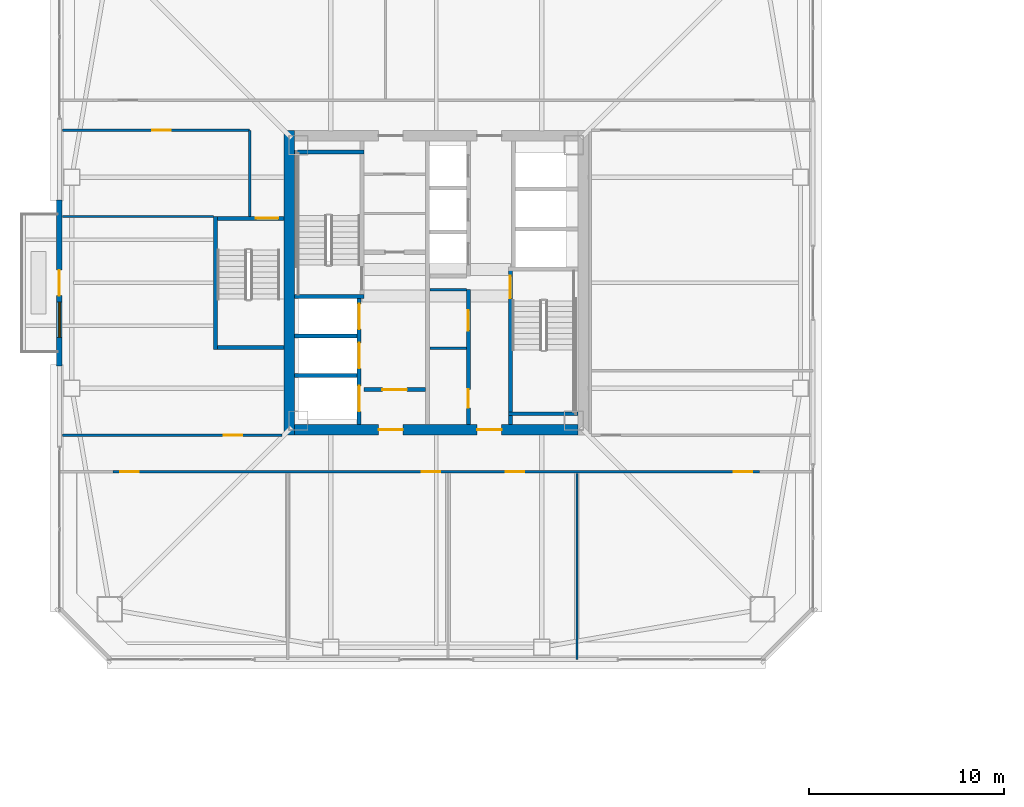
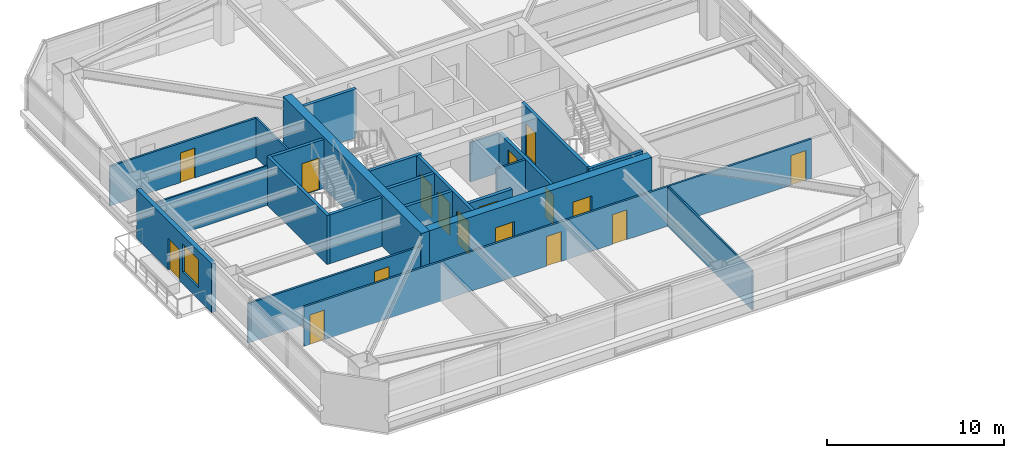
# One storey, part 34 of 44: 23 walls, 17 doors, 1 window, 18 openings.
"""IFC4 building model written with IfcOpenShell, lengths in metres."""

from ifc_helpers import new_model, si_unit, direction, frame, frame_2d, origin, place, context, subcontext, project, spatial, rectangle, extrude, material, layer, layer_set, type_object, element, fill, save


model = new_model("IFC4")

# Units and contexts
model_context = context("Model", 3, precision=1e-05, world=origin(), true_north=direction((0.0, 1.0)))
body_context = subcontext(model_context, "Body", "Model", "MODEL_VIEW")
ifc_project = project(units=[si_unit("LENGTHUNIT", "METRE"), si_unit("AREAUNIT", "SQUARE_METRE"), si_unit("VOLUMEUNIT", "CUBIC_METRE"), si_unit("PLANEANGLEUNIT", "RADIAN"), si_unit("MASSUNIT", "GRAM", prefix="KILO")], contexts=[model_context])

# Site, building, storey
site_placement = place(None, origin())
site = spatial("IfcSite", under=ifc_project, at=site_placement, CompositionType="ELEMENT")
building_placement = place(site_placement, origin())
building = spatial("IfcBuilding", under=site, at=building_placement, Name="Tashvorn Skyway Center", CompositionType="ELEMENT")
storey_placement = place(building_placement, frame((0.0, 0.0, 128.60009765625)))
storey = spatial("IfcBuildingStorey", under=building, at=storey_placement, Name="L34", CompositionType="ELEMENT", Elevation=128.60009765625)

# Wall
ifc_material_1 = material(Name="Concrete C60/75", Category="concrete")
ifc_layer_1 = layer(ifc_material_1, 0.550048828125)
ifc_layer_set_1 = layer_set([ifc_layer_1], Name="Concrete C60/75")
wall_type_1 = type_object("IfcWallType", Name="WALL-CORE-550", PredefinedType="SHEAR", material=ifc_layer_set_1)
wall_1_placement = place(storey_placement, frame((34.47509765625, 24.199951171875, 0.0), z_axis=(0.0, 0.0, 1.0), x_axis=(0.0, 1.0, 0.0)))
element("IfcWall", 1, at=wall_1_placement, inside=storey, type_object=wall_type_1, Name="Tower 1 L34 West Core Shear Wall", PredefinedType="SHEAR", context=body_context, shape_type="SweptSolid", body=[
    extrude(rectangle(XDim=15.60009765625, YDim=0.550048828125, at=frame_2d((7.800048828125, 0.0))), origin(), (0.0, 0.0, 1.0), 3.5498046875),
])

# Wall, openings, doors
wall_2_placement = place(storey_placement, frame((49.25, 24.47509765625, 0.0), z_axis=(0.0, 0.0, 1.0), x_axis=(-1.0, 0.0, 0.0)))
wall_2 = element("IfcWall", 2, at=wall_2_placement, inside=storey, type_object=wall_type_1, Name="Tower 1 L34 South Core Shear Wall", PredefinedType="SHEAR", context=body_context, shape_type="SweptSolid", body=[
    extrude(rectangle(XDim=14.5, YDim=0.550048828125, at=frame_2d((7.25, 0.0))), origin(), (0.0, 0.0, 1.0), 3.5498046875),
])
opening_1_placement = place(wall_2_placement, frame((8.949951171875, 0.0, 0.0)))
opening_1 = element("IfcOpeningElement", 3, at=opening_1_placement, cuts=wall_2, Name="Opening D-FFL-1250", PredefinedType="OPENING", context=body_context, shape_type="SweptSolid", body=[
    extrude(rectangle(XDim=1.25, YDim=2.25, at=frame_2d((0.625, 1.125))), frame((0.0, 0.284912109375, 0.0), z_axis=(0.0, -1.0, 0.0), x_axis=(1.0, 0.0, 0.0)), (0.0, 0.0, 1.0), 0.570068359375),
])
opening_2_placement = place(wall_2_placement, frame((3.89990234375, 0.0, 0.0)))
opening_2 = element("IfcOpeningElement", 4, at=opening_2_placement, cuts=wall_2, Name="Opening D-FFL-1250", PredefinedType="OPENING", context=body_context, shape_type="SweptSolid", body=[
    extrude(rectangle(XDim=1.25, YDim=2.25, at=frame_2d((0.625, 1.125))), frame((0.0, 0.284912109375, 0.0), z_axis=(0.0, -1.0, 0.0), x_axis=(1.0, 0.0, 0.0)), (0.0, 0.0, 1.0), 0.570068359375),
])
ifc_material_2 = material(Name="Hollow galvanized steel fire door assembly", Category="steel")
door_type_1 = type_object("IfcDoorType", Name="DOOR-FFL-1250", OperationType="NOTDEFINED", PredefinedType="DOOR", material=ifc_material_2)
door_1_placement = place(opening_1_placement, origin())
door_1 = element("IfcDoor", 5, at=door_1_placement, inside=storey, type_object=door_type_1, Name="Tower 1 L34 Core South Firefighting Exit Door", OperationType="SINGLE_SWING_LEFT", OverallHeight=2.25, OverallWidth=1.25, PredefinedType="DOOR", context=body_context, shape_type="SweptSolid", body=[
    extrude(rectangle(XDim=1.25, YDim=2.25, at=frame_2d((0.625, 1.125))), frame((0.0, 0.02490234375, 0.0), z_axis=(0.0, -1.0, 0.0), x_axis=(1.0, 0.0, 0.0)), (0.0, 0.0, 1.0), 0.050048828125),
])
fill(opening_1, door_1)
door_2_placement = place(opening_2_placement, origin())
door_2 = element("IfcDoor", 6, at=door_2_placement, inside=storey, type_object=door_type_1, Name="Tower 1 L34 Core South Lift Lobby Door", OperationType="SINGLE_SWING_RIGHT", OverallHeight=2.25, OverallWidth=1.25, PredefinedType="DOOR", context=body_context, shape_type="SweptSolid", body=[
    extrude(rectangle(XDim=1.25, YDim=2.25, at=frame_2d((0.625, 1.125))), frame((0.0, 0.02490234375, 0.0), z_axis=(0.0, -1.0, 0.0), x_axis=(1.0, 0.0, 0.0)), (0.0, 0.0, 1.0), 0.050048828125),
])
fill(opening_2, door_2)

# Wall, openings, door, window
ifc_material_3 = material(Name="Precast concrete C40/50", Category="concrete")
ifc_layer_2 = layer(ifc_material_3, 0.280029296875)
ifc_layer_set_2 = layer_set([ifc_layer_2], Name="Precast concrete C40/50")
wall_type_2 = type_object("IfcWallType", Name="WALL-EXT-280", PredefinedType="SOLIDWALL", material=ifc_layer_set_2)
wall_3_placement = place(storey_placement, frame((22.719970703125, 27.75, 0.0), z_axis=(0.0, 0.0, 1.0), x_axis=(0.0, 1.0, 0.0)))
wall_3 = element("IfcWall", 7, at=wall_3_placement, inside=storey, type_object=wall_type_2, Name="Tower 1 L34 West Terrace Portal Wall", PredefinedType="SOLIDWALL", context=body_context, shape_type="SweptSolid", body=[
    extrude(rectangle(XDim=8.5, YDim=0.280029296875, at=frame_2d((4.25, 0.0))), origin(), (0.0, 0.0, 1.0), 3.369873046875),
])
opening_3_placement = place(wall_3_placement, frame((3.60009765625, 0.0, 0.0)))
opening_3 = element("IfcOpeningElement", 8, at=opening_3_placement, cuts=wall_3, Name="Opening D-TER-1300", PredefinedType="OPENING", context=body_context, shape_type="SweptSolid", body=[
    extrude(rectangle(XDim=1.300048828125, YDim=2.14990234375, at=frame_2d((0.64990234375, 1.074951171875))), frame((0.0, 0.14990234375, 0.0), z_axis=(0.0, -1.0, 0.0), x_axis=(1.0, 0.0, 0.0)), (0.0, 0.0, 1.0), 0.300048828125),
])
opening_4_placement = place(wall_3_placement, frame((1.4599609375, 0.0, 0.85009765625)))
opening_4 = element("IfcOpeningElement", 9, at=opening_4_placement, cuts=wall_3, Name="Opening WIN-1800", PredefinedType="OPENING", context=body_context, shape_type="SweptSolid", body=[
    extrude(rectangle(XDim=1.800048828125, YDim=1.919921875, at=frame_2d((0.89990234375, 0.9599609375))), frame((0.0, 0.14990234375, 0.0), z_axis=(0.0, -1.0, 0.0), x_axis=(1.0, 0.0, 0.0)), (0.0, 0.0, 1.0), 0.300048828125),
])
ifc_material_4 = material(Name="Thermally broken bronze-anodized aluminium 6063-T6", Category="aluminium")
door_type_2 = type_object("IfcDoorType", Name="DOOR-TERR-1300", OperationType="NOTDEFINED", PredefinedType="DOOR", material=ifc_material_4)
door_3_placement = place(opening_3_placement, origin())
door_3 = element("IfcDoor", 10, at=door_3_placement, inside=storey, type_object=door_type_2, Name="Tower 1 L34 Terrace Access Door", OperationType="SINGLE_SWING_RIGHT", OverallHeight=2.14990234375, OverallWidth=1.300048828125, PredefinedType="DOOR", context=body_context, shape_type="SweptSolid", body=[
    extrude(rectangle(XDim=1.300048828125, YDim=2.14990234375, at=frame_2d((0.64990234375, 1.074951171875))), frame((0.0, 0.02490234375, 0.0), z_axis=(0.0, -1.0, 0.0), x_axis=(1.0, 0.0, 0.0)), (0.0, 0.0, 1.0), 0.050048828125),
])
fill(opening_3, door_3)
ifc_material_5 = material(Name="Low-E solar-control double insulating safety glass", Category="glass")
window_type = type_object("IfcWindowType", Name="WIN-TERR-1800", PartitioningType="SINGLE_PANEL", PredefinedType="WINDOW", material=ifc_material_5)
window_placement = place(opening_4_placement, origin())
window = element("IfcWindow", 11, at=window_placement, inside=storey, type_object=window_type, Name="Tower 1 L34 Terrace Window", OverallHeight=1.919921875, OverallWidth=1.800048828125, PartitioningType="SINGLE_PANEL", PredefinedType="WINDOW", context=body_context, shape_type="SweptSolid", body=[
    extrude(rectangle(XDim=1.800048828125, YDim=1.919921875, at=frame_2d((0.89990234375, 0.9599609375))), frame((0.0, 0.030029296875, 0.0), z_axis=(0.0, -1.0, 0.0), x_axis=(1.0, 0.0, 0.0)), (0.0, 0.0, 1.0), 0.06005859375),
])
fill(opening_4, window)

# Wall, opening, door
ifc_material_6 = material(Name="Concrete C40/50", Category="concrete")
ifc_layer_3 = layer(ifc_material_6, 0.219970703125)
ifc_layer_set_3 = layer_set([ifc_layer_3], Name="Concrete C40/50")
wall_type_3 = type_object("IfcWallType", Name="WALL-FFL-220", PredefinedType="SOLIDWALL", material=ifc_layer_set_3)
wall_4_placement = place(storey_placement, frame((38.300048828125, 26.5400390625, 0.0), z_axis=(0.0, 0.0, 1.0), x_axis=(1.0, 0.0, 0.0)))
wall_4 = element("IfcWall", 12, at=wall_4_placement, inside=storey, type_object=wall_type_3, Name="Tower 1 L34 Firefighting Lobby South Wall", PredefinedType="SOLIDWALL", context=body_context, shape_type="SweptSolid", body=[
    extrude(rectangle(XDim=3.14990234375, YDim=0.219970703125, at=frame_2d((1.574951171875, 0.0))), origin(), (0.0, 0.0, 1.0), 2.722900390625),
])
opening_5_placement = place(wall_4_placement, frame((0.949951171875, 0.0, 0.0)))
opening_5 = element("IfcOpeningElement", 13, at=opening_5_placement, cuts=wall_4, Name="Opening D-FFL-1250", PredefinedType="OPENING", context=body_context, shape_type="SweptSolid", body=[
    extrude(rectangle(XDim=1.25, YDim=2.25, at=frame_2d((0.625, 1.125))), frame((0.0, 0.119873046875, 0.0), z_axis=(0.0, -1.0, 0.0), x_axis=(1.0, 0.0, 0.0)), (0.0, 0.0, 1.0), 0.239990234375),
])
door_4_placement = place(opening_5_placement, origin())
door_4 = element("IfcDoor", 14, at=door_4_placement, inside=storey, type_object=door_type_1, Name="Tower 1 L34 Firefighting Lobby Egress Door", OperationType="SINGLE_SWING_LEFT", OverallHeight=2.25, OverallWidth=1.25, PredefinedType="DOOR", context=body_context, shape_type="SweptSolid", body=[
    extrude(rectangle(XDim=1.25, YDim=2.25, at=frame_2d((0.625, 1.125))), frame((0.0, 0.02490234375, 0.0), z_axis=(0.0, -1.0, 0.0), x_axis=(1.0, 0.0, 0.0)), (0.0, 0.0, 1.0), 0.050048828125),
])
fill(opening_5, door_4)

# Walls
ifc_material_7 = material(Name="Gypsum board on cold-formed steel stud framing", Category="steel")
ifc_layer_4 = layer(ifc_material_7, 0.110107421875)
ifc_layer_set_4 = layer_set([ifc_layer_4], Name="Gypsum board on cold-formed steel stud framing")
wall_type_4 = type_object("IfcWallType", Name="WALL-PART-110", PredefinedType="PARTITIONING", material=ifc_layer_set_4)
wall_5_placement = place(storey_placement, frame((49.199951171875, 12.719970703125, 0.0), z_axis=(0.0, 0.0, 1.0), x_axis=(0.0, 1.0, 0.0)))
element("IfcWall", 15, at=wall_5_placement, inside=storey, type_object=wall_type_4, Name="Tower 1 L34 South Suite Partition 3", PredefinedType="PARTITIONING", context=body_context, shape_type="SweptSolid", body=[
    extrude(rectangle(XDim=9.530029296875, YDim=0.110107421875, at=frame_2d((4.76513671875, 0.0))), origin(), (0.0, 0.0, 1.0), 2.722900390625),
])
wall_6_placement = place(storey_placement, frame((30.60009765625, 35.39990234375, 0.0), z_axis=(0.0, 0.0, 1.0), x_axis=(-1.0, 0.0, 0.0)))
element("IfcWall", 16, at=wall_6_placement, inside=storey, type_object=wall_type_4, Name="Tower 1 L34 West Suite Partition 1", PredefinedType="PARTITIONING", context=body_context, shape_type="SweptSolid", body=[
    extrude(rectangle(XDim=7.72998046875, YDim=0.110107421875, at=frame_2d((3.864990234375, 0.0))), origin(), (0.0, 0.0, 1.0), 2.722900390625),
])
ifc_layer_5 = layer(ifc_material_7, 0.135009765625)
ifc_layer_set_5 = layer_set([ifc_layer_5], Name="Gypsum board on cold-formed steel stud framing")
wall_type_5 = type_object("IfcWallType", Name="WALL-PART-135", PredefinedType="PARTITIONING", material=ifc_layer_set_5)
wall_7_placement = place(storey_placement, frame((32.449951171875, 35.39990234375, 0.0), z_axis=(0.0, 0.0, 1.0), x_axis=(0.0, 1.0, 0.0)))
element("IfcWall", 17, at=wall_7_placement, inside=storey, type_object=wall_type_5, Name="Tower 1 L34 Stair 3 Access Corridor Wall", PredefinedType="PARTITIONING", context=body_context, shape_type="SweptSolid", body=[
    extrude(rectangle(XDim=4.400146484375, YDim=0.135009765625, at=frame_2d((2.2001953125, 0.0))), origin(), (0.0, 0.0, 1.0), 2.722900390625),
])

# Wall, openings, doors
wall_8_placement = place(storey_placement, frame((58.550048828125, 22.330078125, 0.0), z_axis=(0.0, 0.0, 1.0), x_axis=(-1.0, 0.0, 0.0)))
wall_8 = element("IfcWall", 18, at=wall_8_placement, inside=storey, type_object=wall_type_5, Name="Tower 1 L34 South Suite Wall", PredefinedType="PARTITIONING", context=body_context, shape_type="SweptSolid", body=[
    extrude(rectangle(XDim=33.10009765625, YDim=0.135009765625, at=frame_2d((16.550048828125, 0.0))), origin(), (0.0, 0.0, 1.0), 2.722900390625),
])
opening_6_placement = place(wall_8_placement, frame((31.77001953125, 0.0, 0.0)))
opening_6 = element("IfcOpeningElement", 19, at=opening_6_placement, cuts=wall_8, Name="Opening D-INT-950", PredefinedType="OPENING", context=body_context, shape_type="SweptSolid", body=[
    extrude(rectangle(XDim=0.949951171875, YDim=2.050048828125, at=frame_2d((0.47509765625, 1.02490234375))), frame((0.0, 0.077392578125, 0.0), z_axis=(0.0, -1.0, 0.0), x_axis=(1.0, 0.0, 0.0)), (0.0, 0.0, 1.0), 0.155029296875),
])
opening_7_placement = place(wall_8_placement, frame((16.330078125, 0.0, 0.0)))
opening_7 = element("IfcOpeningElement", 20, at=opening_7_placement, cuts=wall_8, Name="Opening D-INT-950", PredefinedType="OPENING", context=body_context, shape_type="SweptSolid", body=[
    extrude(rectangle(XDim=0.949951171875, YDim=2.050048828125, at=frame_2d((0.47509765625, 1.02490234375))), frame((0.0, 0.077392578125, 0.0), z_axis=(0.0, -1.0, 0.0), x_axis=(1.0, 0.0, 0.0)), (0.0, 0.0, 1.0), 0.155029296875),
])
opening_8_placement = place(wall_8_placement, frame((12.04638671875, 0.0, 0.0)))
opening_8 = element("IfcOpeningElement", 21, at=opening_8_placement, cuts=wall_8, Name="Opening D-INT-950", PredefinedType="OPENING", context=body_context, shape_type="SweptSolid", body=[
    extrude(rectangle(XDim=0.949951171875, YDim=2.050048828125, at=frame_2d((0.47509765625, 1.02490234375))), frame((0.0, 0.077392578125, 0.0), z_axis=(0.0, -1.0, 0.0), x_axis=(1.0, 0.0, 0.0)), (0.0, 0.0, 1.0), 0.155029296875),
])
opening_9_placement = place(wall_8_placement, frame((0.3798828125, 0.0, 0.0)))
opening_9 = element("IfcOpeningElement", 22, at=opening_9_placement, cuts=wall_8, Name="Opening D-INT-950", PredefinedType="OPENING", context=body_context, shape_type="SweptSolid", body=[
    extrude(rectangle(XDim=0.949951171875, YDim=2.050048828125, at=frame_2d((0.47509765625, 1.02490234375))), frame((0.0, 0.077392578125, 0.0), z_axis=(0.0, -1.0, 0.0), x_axis=(1.0, 0.0, 0.0)), (0.0, 0.0, 1.0), 0.155029296875),
])
ifc_material_8 = material(Name="Solid-core architectural oak veneer door")
door_type_3 = type_object("IfcDoorType", Name="DOOR-INT-950", OperationType="NOTDEFINED", PredefinedType="DOOR", material=ifc_material_8)
door_5_placement = place(opening_6_placement, origin())
door_5 = element("IfcDoor", 23, at=door_5_placement, inside=storey, type_object=door_type_3, Name="Tower 1 L34 Open Plan Office Door", OperationType="SINGLE_SWING_LEFT", OverallHeight=2.050048828125, OverallWidth=0.949951171875, PredefinedType="DOOR", context=body_context, shape_type="SweptSolid", body=[
    extrude(rectangle(XDim=0.949951171875, YDim=2.050048828125, at=frame_2d((0.47509765625, 1.02490234375))), frame((0.0, 0.02490234375, 0.0), z_axis=(0.0, -1.0, 0.0), x_axis=(1.0, 0.0, 0.0)), (0.0, 0.0, 1.0), 0.050048828125),
])
fill(opening_6, door_5)
door_6_placement = place(opening_7_placement, origin())
door_6 = element("IfcDoor", 24, at=door_6_placement, inside=storey, type_object=door_type_3, Name="Tower 1 L34 Staff Fitness Club Door", OperationType="SINGLE_SWING_RIGHT", OverallHeight=2.050048828125, OverallWidth=0.949951171875, PredefinedType="DOOR", context=body_context, shape_type="SweptSolid", body=[
    extrude(rectangle(XDim=0.949951171875, YDim=2.050048828125, at=frame_2d((0.47509765625, 1.02490234375))), frame((0.0, 0.02490234375, 0.0), z_axis=(0.0, -1.0, 0.0), x_axis=(1.0, 0.0, 0.0)), (0.0, 0.0, 1.0), 0.050048828125),
])
fill(opening_7, door_6)
door_7_placement = place(opening_8_placement, origin())
door_7 = element("IfcDoor", 25, at=door_7_placement, inside=storey, type_object=door_type_3, Name="Tower 1 L34 Staff Fitness Club Door", OperationType="SINGLE_SWING_LEFT", OverallHeight=2.050048828125, OverallWidth=0.949951171875, PredefinedType="DOOR", context=body_context, shape_type="SweptSolid", body=[
    extrude(rectangle(XDim=0.949951171875, YDim=2.050048828125, at=frame_2d((0.47509765625, 1.02490234375))), frame((0.0, 0.02490234375, 0.0), z_axis=(0.0, -1.0, 0.0), x_axis=(1.0, 0.0, 0.0)), (0.0, 0.0, 1.0), 0.050048828125),
])
fill(opening_8, door_7)
door_8_placement = place(opening_9_placement, origin())
door_8 = element("IfcDoor", 26, at=door_8_placement, inside=storey, type_object=door_type_3, Name="Tower 1 L34 Staff Fitness Club Door", OperationType="SINGLE_SWING_RIGHT", OverallHeight=2.050048828125, OverallWidth=0.949951171875, PredefinedType="DOOR", context=body_context, shape_type="SweptSolid", body=[
    extrude(rectangle(XDim=0.949951171875, YDim=2.050048828125, at=frame_2d((0.47509765625, 1.02490234375))), frame((0.0, 0.02490234375, 0.0), z_axis=(0.0, -1.0, 0.0), x_axis=(1.0, 0.0, 0.0)), (0.0, 0.0, 1.0), 0.050048828125),
])
fill(opening_9, door_8)

# Wall, opening, door
wall_9_placement = place(storey_placement, frame((32.449951171875, 39.800048828125, 0.0), z_axis=(0.0, 0.0, 1.0), x_axis=(-1.0, 0.0, 0.0)))
wall_9 = element("IfcWall", 27, at=wall_9_placement, inside=storey, type_object=wall_type_5, Name="Tower 1 L34 West Suite North Wall", PredefinedType="PARTITIONING", context=body_context, shape_type="SweptSolid", body=[
    extrude(rectangle(XDim=9.579833984375, YDim=0.135009765625, at=frame_2d((4.7900390625, 0.0))), origin(), (0.0, 0.0, 1.0), 2.722900390625),
])
opening_10_placement = place(wall_9_placement, frame((4.0400390625, 0.0, 0.0)))
opening_10 = element("IfcOpeningElement", 28, at=opening_10_placement, cuts=wall_9, Name="Opening D-INT-950", PredefinedType="OPENING", context=body_context, shape_type="SweptSolid", body=[
    extrude(rectangle(XDim=0.949951171875, YDim=2.050048828125, at=frame_2d((0.47509765625, 1.02490234375))), frame((0.0, 0.077392578125, 0.0), z_axis=(0.0, -1.0, 0.0), x_axis=(1.0, 0.0, 0.0)), (0.0, 0.0, 1.0), 0.155029296875),
])
door_9_placement = place(opening_10_placement, origin())
door_9 = element("IfcDoor", 29, at=door_9_placement, inside=storey, type_object=door_type_3, Name="Tower 1 L34 Staff Fitness Club Door", OperationType="SINGLE_SWING_LEFT", OverallHeight=2.050048828125, OverallWidth=0.949951171875, PredefinedType="DOOR", context=body_context, shape_type="SweptSolid", body=[
    extrude(rectangle(XDim=0.949951171875, YDim=2.050048828125, at=frame_2d((0.47509765625, 1.02490234375))), frame((0.0, 0.02490234375, 0.0), z_axis=(0.0, -1.0, 0.0), x_axis=(1.0, 0.0, 0.0)), (0.0, 0.0, 1.0), 0.050048828125),
])
fill(opening_10, door_9)

wall_10_placement = place(storey_placement, frame((22.8701171875, 24.199951171875, 0.0), z_axis=(0.0, 0.0, 1.0), x_axis=(1.0, 0.0, 0.0)))
wall_10 = element("IfcWall", 30, at=wall_10_placement, inside=storey, type_object=wall_type_5, Name="Tower 1 L34 West Suite South Wall", PredefinedType="PARTITIONING", context=body_context, shape_type="SweptSolid", body=[
    extrude(rectangle(XDim=11.25, YDim=0.135009765625, at=frame_2d((5.625, 0.0))), origin(), (0.0, 0.0, 1.0), 2.722900390625),
])
opening_11_placement = place(wall_10_placement, frame((8.2548828125, 0.0, 0.0)))
opening_11 = element("IfcOpeningElement", 31, at=opening_11_placement, cuts=wall_10, Name="Opening D-INT-950", PredefinedType="OPENING", context=body_context, shape_type="SweptSolid", body=[
    extrude(rectangle(XDim=0.949951171875, YDim=2.050048828125, at=frame_2d((0.47509765625, 1.02490234375))), frame((0.0, 0.077392578125, 0.0), z_axis=(0.0, -1.0, 0.0), x_axis=(1.0, 0.0, 0.0)), (0.0, 0.0, 1.0), 0.155029296875),
])
door_10_placement = place(opening_11_placement, origin())
door_10 = element("IfcDoor", 32, at=door_10_placement, inside=storey, type_object=door_type_3, Name="Tower 1 L34 Public Restroom Door", OperationType="SINGLE_SWING_RIGHT", OverallHeight=2.050048828125, OverallWidth=0.949951171875, PredefinedType="DOOR", context=body_context, shape_type="SweptSolid", body=[
    extrude(rectangle(XDim=0.949951171875, YDim=2.050048828125, at=frame_2d((0.47509765625, 1.02490234375))), frame((0.0, 0.02490234375, 0.0), z_axis=(0.0, -1.0, 0.0), x_axis=(1.0, 0.0, 0.0)), (0.0, 0.0, 1.0), 0.050048828125),
])
fill(opening_11, door_10)

# Walls
ifc_layer_6 = layer(ifc_material_7, 0.135009765625)
ifc_layer_set_6 = layer_set([ifc_layer_6], Name="Gypsum board on cold-formed steel stud framing")
wall_type_6 = type_object("IfcWallType", Name="WALL-RATED-135", PredefinedType="PARTITIONING", material=ifc_layer_set_6)
for number, where, z_axis, x_axis, name in (
    (33, (41.669921875, 31.64990234375, 0.0), (0.0, 0.0, 1.0), (1.0, 0.0, 0.0), "Tower 1 L34 Core Room Partition"),
    (34, (41.669921875, 28.64990234375, 0.0), (0.0, 0.0, 1.0), (1.0, 0.0, 0.0), "Tower 1 L34 Freed Core Partition"),
):
    element("IfcWall", number, at=place(storey_placement, frame(where, z_axis=z_axis, x_axis=x_axis)), inside=storey, type_object=wall_type_6, Name=name, PredefinedType="PARTITIONING", context=body_context, shape_type="SweptSolid", body=[
        extrude(rectangle(XDim=1.880126953125, YDim=0.135009765625, at=frame_2d((0.93994140625, 0.0))), origin(), (0.0, 0.0, 1.0), 2.722900390625),
    ])
ifc_layer_7 = layer(ifc_material_6, 0.199951171875)
ifc_layer_set_7 = layer_set([ifc_layer_7], Name="Concrete C40/50")
wall_type_7 = type_object("IfcWallType", Name="WALL-SHAFT-200", PredefinedType="SOLIDWALL", material=ifc_layer_set_7)
for number, where, z_axis, x_axis, name in (
    (35, (34.75, 27.25, 0.0), (0.0, 0.0, 1.0), (1.0, 0.0, 0.0), "Tower 1 L34 FSAE Shaft Divider"),
    (36, (34.75, 29.280029296875, 0.0), (0.0, 0.0, 1.0), (1.0, 0.0, 0.0), "Tower 1 L34 FSAE Shaft Divider"),
):
    element("IfcWall", number, at=place(storey_placement, frame(where, z_axis=z_axis, x_axis=x_axis)), inside=storey, type_object=wall_type_7, Name=name, PredefinedType="SOLIDWALL", context=body_context, shape_type="SweptSolid", body=[
        extrude(rectangle(XDim=3.199951171875, YDim=0.199951171875, at=frame_2d((1.60009765625, 0.0))), origin(), (0.0, 0.0, 1.0), 3.369873046875),
    ])

# Wall, openings, doors
wall_11_placement = place(storey_placement, frame((43.64990234375, 24.75, 0.0), z_axis=(0.0, 0.0, 1.0), x_axis=(0.0, 1.0, 0.0)))
wall_11 = element("IfcWall", 37, at=wall_11_placement, inside=storey, type_object=wall_type_7, Name="Tower 1 L34 Low-Rise Core Wall", PredefinedType="SOLIDWALL", context=body_context, shape_type="SweptSolid", body=[
    extrude(rectangle(XDim=6.89990234375, YDim=0.199951171875, at=frame_2d((3.449951171875, 0.0))), origin(), (0.0, 0.0, 1.0), 2.722900390625),
])
opening_12_placement = place(wall_11_placement, frame((0.85009765625, 0.0, 0.0)))
opening_12 = element("IfcOpeningElement", 38, at=opening_12_placement, cuts=wall_11, Name="Opening D-RT-950", PredefinedType="OPENING", context=body_context, shape_type="SweptSolid", body=[
    extrude(rectangle(XDim=0.949951171875, YDim=2.050048828125, at=frame_2d((0.47509765625, 1.02490234375))), frame((0.0, 0.10986328125, 0.0), z_axis=(0.0, -1.0, 0.0), x_axis=(1.0, 0.0, 0.0)), (0.0, 0.0, 1.0), 0.219970703125),
])
opening_13_placement = place(wall_11_placement, frame((4.800048828125, 0.0, 0.0)))
opening_13 = element("IfcOpeningElement", 39, at=opening_13_placement, cuts=wall_11, Name="Opening D-RT-1050", PredefinedType="OPENING", context=body_context, shape_type="SweptSolid", body=[
    extrude(rectangle(XDim=1.050048828125, YDim=2.199951171875, at=frame_2d((0.52490234375, 1.10009765625))), frame((0.0, 0.10986328125, 0.0), z_axis=(0.0, -1.0, 0.0), x_axis=(1.0, 0.0, 0.0)), (0.0, 0.0, 1.0), 0.219970703125),
])
door_type_4 = type_object("IfcDoorType", Name="DOOR-RATED-1050", OperationType="NOTDEFINED", PredefinedType="DOOR", material=ifc_material_2)
door_11_placement = place(opening_13_placement, origin())
door_11 = element("IfcDoor", 40, at=door_11_placement, inside=storey, type_object=door_type_4, Name="Tower 1 L34 Freed Core Room Door", OperationType="SINGLE_SWING_RIGHT", OverallHeight=2.199951171875, OverallWidth=1.050048828125, PredefinedType="DOOR", context=body_context, shape_type="SweptSolid", body=[
    extrude(rectangle(XDim=1.050048828125, YDim=2.199951171875, at=frame_2d((0.52490234375, 1.10009765625))), frame((0.0, 0.02490234375, 0.0), z_axis=(0.0, -1.0, 0.0), x_axis=(1.0, 0.0, 0.0)), (0.0, 0.0, 1.0), 0.050048828125),
])
fill(opening_13, door_11)
door_type_5 = type_object("IfcDoorType", Name="DOOR-RATED-950", OperationType="NOTDEFINED", PredefinedType="DOOR", material=ifc_material_2)
door_12_placement = place(opening_12_placement, origin())
door_12 = element("IfcDoor", 41, at=door_12_placement, inside=storey, type_object=door_type_5, Name="Tower 1 L34 Core Print Room Door", OperationType="SINGLE_SWING_LEFT", OverallHeight=2.050048828125, OverallWidth=0.949951171875, PredefinedType="DOOR", context=body_context, shape_type="SweptSolid", body=[
    extrude(rectangle(XDim=0.949951171875, YDim=2.050048828125, at=frame_2d((0.47509765625, 1.02490234375))), frame((0.0, 0.02490234375, 0.0), z_axis=(0.0, -1.0, 0.0), x_axis=(1.0, 0.0, 0.0)), (0.0, 0.0, 1.0), 0.050048828125),
])
fill(opening_12, door_12)

# Walls
ifc_layer_8 = layer(ifc_material_6, 0.199951171875)
ifc_layer_set_8 = layer_set([ifc_layer_8], Name="Concrete C40/50")
wall_type_8 = type_object("IfcWallType", Name="WALL-STSHF-200", PredefinedType="SHEAR", material=ifc_layer_set_8)
for number, where, z_axis, x_axis, name in (
    (42, (34.75, 31.300048828125, 0.0), (0.0, 0.0, 1.0), (1.0, 0.0, 0.0), "Tower 1 L34 Stair 1 South Wall"),
    (43, (34.75, 38.699951171875, 0.0), (0.0, 0.0, 1.0), (1.0, 0.0, 0.0), "Tower 1 L34 Stair 1 North Wall"),
):
    element("IfcWall", number, at=place(storey_placement, frame(where, z_axis=z_axis, x_axis=x_axis)), inside=storey, type_object=wall_type_8, Name=name, PredefinedType="SHEAR", context=body_context, shape_type="SweptSolid", body=[
        extrude(rectangle(XDim=3.550048828125, YDim=0.199951171875, at=frame_2d((1.77490234375, 0.0))), origin(), (0.0, 0.0, 1.0), 3.369873046875),
    ])

# Wall, opening, door
wall_12_placement = place(storey_placement, frame((45.800048828125, 32.800048828125, 0.0), z_axis=(0.0, 0.0, 1.0), x_axis=(0.0, -1.0, 0.0)))
wall_12 = element("IfcWall", 44, at=wall_12_placement, inside=storey, type_object=wall_type_8, Name="Tower 1 L34 Stair 2 Enclosure Wall", PredefinedType="SHEAR", context=body_context, shape_type="SweptSolid", body=[
    extrude(rectangle(XDim=8.050048828125, YDim=0.199951171875, at=frame_2d((4.02490234375, 0.0))), origin(), (0.0, 0.0, 1.0), 3.369873046875),
])
opening_14_placement = place(wall_12_placement, frame((0.449951171875, 0.0, 0.0)))
opening_14 = element("IfcOpeningElement", 45, at=opening_14_placement, cuts=wall_12, Name="Opening D-ST-1150", PredefinedType="OPENING", context=body_context, shape_type="SweptSolid", body=[
    extrude(rectangle(XDim=1.14990234375, YDim=2.199951171875, at=frame_2d((0.574951171875, 1.10009765625))), frame((0.0, 0.10986328125, 0.0), z_axis=(0.0, -1.0, 0.0), x_axis=(1.0, 0.0, 0.0)), (0.0, 0.0, 1.0), 0.219970703125),
])
door_type_6 = type_object("IfcDoorType", Name="DOOR-STAIR-1150", OperationType="NOTDEFINED", PredefinedType="DOOR", material=ifc_material_2)
door_13_placement = place(opening_14_placement, origin())
door_13 = element("IfcDoor", 46, at=door_13_placement, inside=storey, type_object=door_type_6, Name="Tower 1 L34 Exit Stair 2 Door", OperationType="SINGLE_SWING_RIGHT", OverallHeight=2.199951171875, OverallWidth=1.14990234375, PredefinedType="DOOR", context=body_context, shape_type="SweptSolid", body=[
    extrude(rectangle(XDim=1.14990234375, YDim=2.199951171875, at=frame_2d((0.574951171875, 1.10009765625))), frame((0.0, 0.02490234375, 0.0), z_axis=(0.0, -1.0, 0.0), x_axis=(1.0, 0.0, 0.0)), (0.0, 0.0, 1.0), 0.050048828125),
])
fill(opening_14, door_13)

# Wall
wall_13_placement = place(storey_placement, frame((45.699951171875, 25.300048828125, 0.0), z_axis=(0.0, 0.0, 1.0), x_axis=(1.0, 0.0, 0.0)))
element("IfcWall", 47, at=wall_13_placement, inside=storey, type_object=wall_type_8, Name="Tower 1 L34 Stair 2 South Wall", PredefinedType="SHEAR", context=body_context, shape_type="SweptSolid", body=[
    extrude(rectangle(XDim=3.550048828125, YDim=0.199951171875, at=frame_2d((1.77490234375, 0.0))), origin(), (0.0, 0.0, 1.0), 3.369873046875),
])

# Wall, openings, doors
wall_14_placement = place(storey_placement, frame((38.050048828125, 24.75, 0.0), z_axis=(0.0, 0.0, 1.0), x_axis=(0.0, 1.0, 0.0)))
wall_14 = element("IfcWall", 48, at=wall_14_placement, inside=storey, type_object=wall_type_8, Name="Tower 1 L34 FSAE and Goods Shaft Front Wall", PredefinedType="SHEAR", context=body_context, shape_type="SweptSolid", body=[
    extrude(rectangle(XDim=6.449951171875, YDim=0.199951171875, at=frame_2d((3.22509765625, 0.0))), origin(), (0.0, 0.0, 1.0), 3.369873046875),
])
opening_15_placement = place(wall_14_placement, frame((4.875, 0.0, 0.0)))
opening_15 = element("IfcOpeningElement", 49, at=opening_15_placement, cuts=wall_14, Name="Opening LD-FF-T1-1-L34", PredefinedType="OPENING", context=body_context, shape_type="SweptSolid", body=[
    extrude(rectangle(XDim=1.300048828125, YDim=2.25, at=frame_2d((0.64990234375, 1.125))), frame((0.0, 0.10986328125, 0.0), z_axis=(0.0, -1.0, 0.0), x_axis=(1.0, 0.0, 0.0)), (0.0, 0.0, 1.0), 0.219970703125),
])
opening_16_placement = place(wall_14_placement, frame((2.875, 0.0, 0.0)))
opening_16 = element("IfcOpeningElement", 50, at=opening_16_placement, cuts=wall_14, Name="Opening LD-FF-T1-2-L34", PredefinedType="OPENING", context=body_context, shape_type="SweptSolid", body=[
    extrude(rectangle(XDim=1.300048828125, YDim=2.25, at=frame_2d((0.64990234375, 1.125))), frame((0.0, 0.10986328125, 0.0), z_axis=(0.0, -1.0, 0.0), x_axis=(1.0, 0.0, 0.0)), (0.0, 0.0, 1.0), 0.219970703125),
])
opening_17_placement = place(wall_14_placement, frame((0.675048828125, 0.0, 0.0)))
opening_17 = element("IfcOpeningElement", 51, at=opening_17_placement, cuts=wall_14, Name="Opening LD-GD-T1-1-L34", PredefinedType="OPENING", context=body_context, shape_type="SweptSolid", body=[
    extrude(rectangle(XDim=1.300048828125, YDim=2.25, at=frame_2d((0.64990234375, 1.125))), frame((0.0, 0.10986328125, 0.0), z_axis=(0.0, -1.0, 0.0), x_axis=(1.0, 0.0, 0.0)), (0.0, 0.0, 1.0), 0.219970703125),
])
ifc_material_9 = material(Name="Stainless steel heavy-duty landing door", Category="steel")
door_type_7 = type_object("IfcDoorType", Name="DOOR-LIFT-1300", OperationType="SLIDING_TO_LEFT", PredefinedType="DOOR", material=ifc_material_9)
door_14_placement = place(opening_15_placement, origin())
door_14 = element("IfcDoor", 52, at=door_14_placement, inside=storey, type_object=door_type_7, Name="Lift FF-T1-1 L34 Landing Door", OperationType="SLIDING_TO_LEFT", OverallHeight=2.25, OverallWidth=1.300048828125, PredefinedType="DOOR", context=body_context, shape_type="SweptSolid", body=[
    extrude(rectangle(XDim=1.300048828125, YDim=2.25, at=frame_2d((0.64990234375, 1.125))), frame((0.0, 0.02490234375, 0.0), z_axis=(0.0, -1.0, 0.0), x_axis=(1.0, 0.0, 0.0)), (0.0, 0.0, 1.0), 0.050048828125),
])
fill(opening_15, door_14)
door_15_placement = place(opening_16_placement, origin())
door_15 = element("IfcDoor", 53, at=door_15_placement, inside=storey, type_object=door_type_7, Name="Lift FF-T1-2 L34 Landing Door", OperationType="SLIDING_TO_LEFT", OverallHeight=2.25, OverallWidth=1.300048828125, PredefinedType="DOOR", context=body_context, shape_type="SweptSolid", body=[
    extrude(rectangle(XDim=1.300048828125, YDim=2.25, at=frame_2d((0.64990234375, 1.125))), frame((0.0, 0.02490234375, 0.0), z_axis=(0.0, -1.0, 0.0), x_axis=(1.0, 0.0, 0.0)), (0.0, 0.0, 1.0), 0.050048828125),
])
fill(opening_16, door_15)
door_16_placement = place(opening_17_placement, origin())
door_16 = element("IfcDoor", 54, at=door_16_placement, inside=storey, type_object=door_type_7, Name="Lift GD-T1-1 L34 Landing Door", OperationType="SLIDING_TO_LEFT", OverallHeight=2.25, OverallWidth=1.300048828125, PredefinedType="DOOR", context=body_context, shape_type="SweptSolid", body=[
    extrude(rectangle(XDim=1.300048828125, YDim=2.25, at=frame_2d((0.64990234375, 1.125))), frame((0.0, 0.02490234375, 0.0), z_axis=(0.0, -1.0, 0.0), x_axis=(1.0, 0.0, 0.0)), (0.0, 0.0, 1.0), 0.050048828125),
])
fill(opening_17, door_16)

# Wall
wall_15_placement = place(storey_placement, frame((30.699951171875, 28.60009765625, 0.0), z_axis=(0.0, 0.0, 1.0), x_axis=(0.0, 1.0, 0.0)))
element("IfcWall", 55, at=wall_15_placement, inside=storey, type_object=wall_type_8, Name="Tower 1 L34 Stair 3 Outer Wall", PredefinedType="SHEAR", context=body_context, shape_type="SweptSolid", body=[
    extrude(rectangle(XDim=6.7998046875, YDim=0.199951171875, at=frame_2d((3.39990234375, 0.0))), origin(), (0.0, 0.0, 1.0), 3.369873046875),
])

# Wall, opening, door
wall_16_placement = place(storey_placement, frame((34.199951171875, 35.300048828125, 0.0), z_axis=(0.0, 0.0, 1.0), x_axis=(-1.0, 0.0, 0.0)))
wall_16 = element("IfcWall", 56, at=wall_16_placement, inside=storey, type_object=wall_type_8, Name="Tower 1 L34 Stair 3 Enclosure Wall", PredefinedType="SHEAR", context=body_context, shape_type="SweptSolid", body=[
    extrude(rectangle(XDim=3.39990234375, YDim=0.199951171875, at=frame_2d((1.699951171875, 0.0))), origin(), (0.0, 0.0, 1.0), 3.369873046875),
])
opening_18_placement = place(wall_16_placement, frame((0.27490234375, 0.0, 0.0)))
opening_18 = element("IfcOpeningElement", 57, at=opening_18_placement, cuts=wall_16, Name="Opening D-ST-1150", PredefinedType="OPENING", context=body_context, shape_type="SweptSolid", body=[
    extrude(rectangle(XDim=1.14990234375, YDim=2.199951171875, at=frame_2d((0.574951171875, 1.10009765625))), frame((0.0, 0.10986328125, 0.0), z_axis=(0.0, -1.0, 0.0), x_axis=(1.0, 0.0, 0.0)), (0.0, 0.0, 1.0), 0.219970703125),
])
door_17_placement = place(opening_18_placement, origin())
door_17 = element("IfcDoor", 58, at=door_17_placement, inside=storey, type_object=door_type_6, Name="Tower 1 L34 Exit Stair 3 Door", OperationType="SINGLE_SWING_RIGHT", OverallHeight=2.199951171875, OverallWidth=1.14990234375, PredefinedType="DOOR", context=body_context, shape_type="SweptSolid", body=[
    extrude(rectangle(XDim=1.14990234375, YDim=2.199951171875, at=frame_2d((0.574951171875, 1.10009765625))), frame((0.0, 0.02490234375, 0.0), z_axis=(0.0, -1.0, 0.0), x_axis=(1.0, 0.0, 0.0)), (0.0, 0.0, 1.0), 0.050048828125),
])
fill(opening_18, door_17)

# Wall
wall_17_placement = place(storey_placement, frame((30.800048828125, 28.699951171875, 0.0), z_axis=(0.0, 0.0, 1.0), x_axis=(1.0, 0.0, 0.0)))
element("IfcWall", 59, at=wall_17_placement, inside=storey, type_object=wall_type_8, Name="Tower 1 L34 Stair 3 South Wall", PredefinedType="SHEAR", context=body_context, shape_type="SweptSolid", body=[
    extrude(rectangle(XDim=3.39990234375, YDim=0.199951171875, at=frame_2d((1.699951171875, 0.0))), origin(), (0.0, 0.0, 1.0), 3.369873046875),
])

save(model, "model.ifc")
